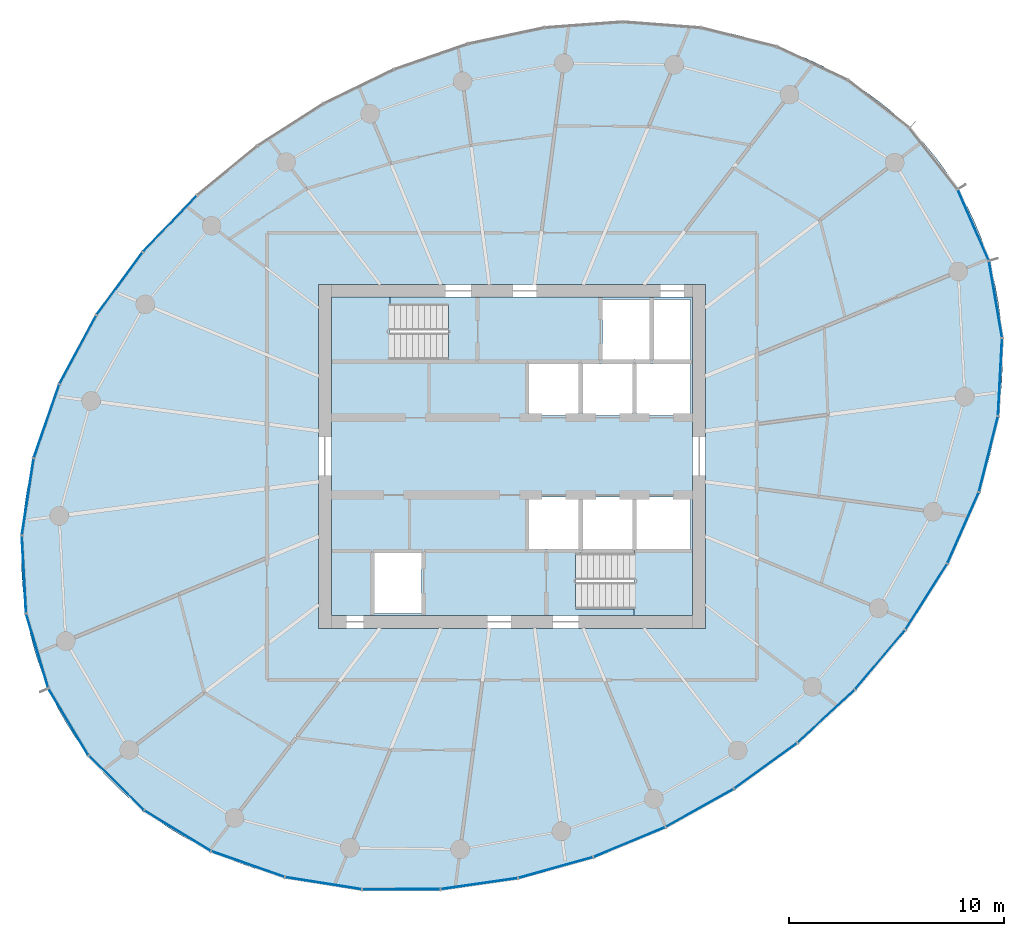
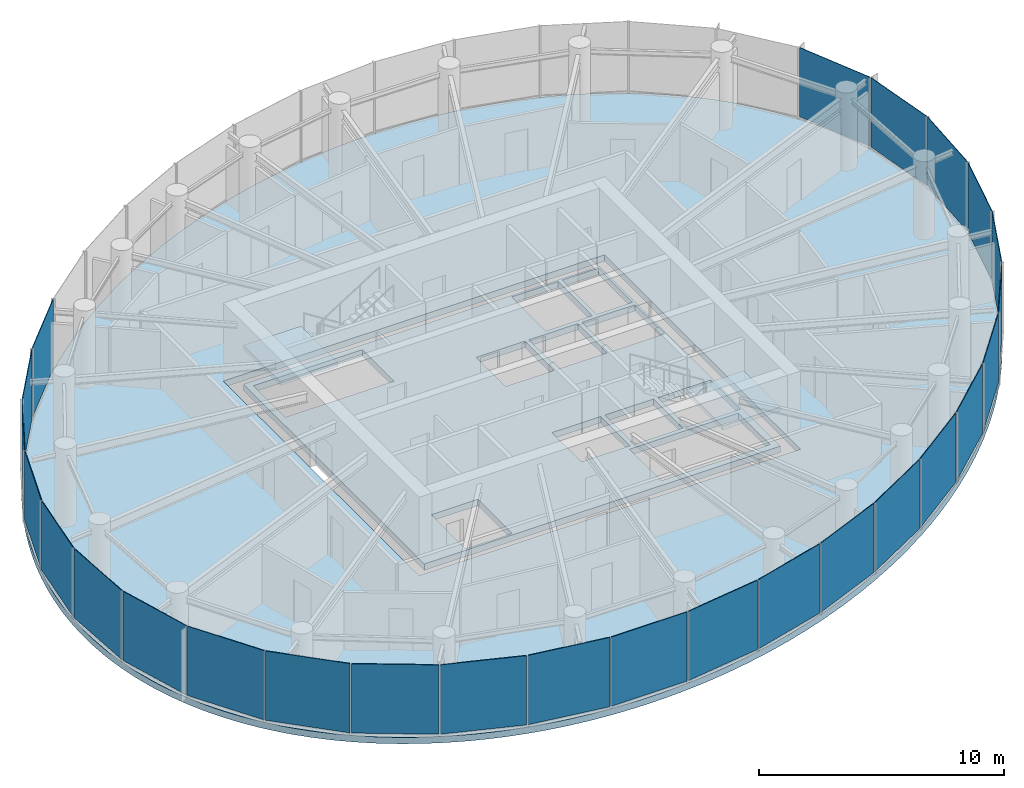
# One storey, part 8 of 14: 26 plates, 4 slabs, 7 elements without a shape of their own.
"""IFC4 building model written with IfcOpenShell, lengths in metres."""

from ifc_helpers import new_model, si_unit, direction, frame, origin, origin_2d, place, context, subcontext, project, spatial, line, indexed_curve, rectangle, outline, extrude, source, transform, mapped, material, layer, layer_set, type_object, element, aggregate, save


model = new_model("IFC4")

# Units and contexts
model_context = context("Model", 3, precision=1e-05, world=origin(), true_north=direction((0.0, 1.0)))
body_context = subcontext(model_context, "Body", "Model", "MODEL_VIEW")
ifc_project = project(units=[si_unit("LENGTHUNIT", "METRE"), si_unit("AREAUNIT", "SQUARE_METRE"), si_unit("VOLUMEUNIT", "CUBIC_METRE"), si_unit("PLANEANGLEUNIT", "RADIAN"), si_unit("MASSUNIT", "GRAM", prefix="KILO")], contexts=[model_context])

# Site, building, storey
site_placement = place(None, origin())
site = spatial("IfcSite", under=ifc_project, at=site_placement, CompositionType="ELEMENT")
building_placement = place(site_placement, origin())
building = spatial("IfcBuilding", under=site, at=building_placement, Name="Spindrift Exchange Tower", CompositionType="ELEMENT")
storey_placement = place(building_placement, frame((0.0, 0.0, 207.199951171875)))
storey = spatial("IfcBuildingStorey", under=building, at=storey_placement, Name="L50", CompositionType="ELEMENT", Elevation=207.199951171875)

# Slabs
ifc_material_1 = material(Name="Concrete 40 MPa", Category="concrete")
ifc_layer_1 = layer(ifc_material_1, 0.320068359375)
ifc_layer_set_1 = layer_set([ifc_layer_1], Name="RC Floor Slab 320 Concrete 40 MPa")
slab_type_1 = type_object("IfcSlabType", Name="RC Floor Slab 320 Concrete 40 MPa", PredefinedType="FLOOR", material=ifc_layer_set_1)
slab_1_placement = place(storey_placement, frame((0.0, 0.0, -0.320068359375)))
element("IfcSlab", 1, at=slab_1_placement, inside=storey, type_object=slab_type_1, Name="Floor slab L50", PredefinedType="FLOOR", context=body_context, shape_type="SweptSolid", body=[
    extrude(outline(indexed_curve([(72.726318359375, 60.415771484375), (72.32470703125, 61.048095703125), (71.890380859375, 61.658447265625), (71.66162109375, 61.955078125), (71.18115234375, 62.52978515625), (70.93017578125, 62.807861328125), (70.406982421875, 63.34423828125), (69.857666015625, 63.853515625), (69.573486328125, 64.097900390625), (68.98828125, 64.565185546875), (68.380859375, 65.00390625), (68.069580078125, 65.21240234375), (67.433349609375, 65.607666015625), (66.779541015625, 65.9736328125), (66.447021484375, 66.145751953125), (65.7705078125, 66.468017578125), (65.081298828125, 66.76171875), (64.732421875, 66.897705078125), (64.0263671875, 67.148193359375), (63.31103515625, 67.37109375), (62.587646484375, 67.566162109375), (62.223388671875, 67.653564453125), (61.857666015625, 67.734375), (61.121826171875, 67.8759765625), (60.752197265625, 67.93701171875), (60.01025390625, 68.0400390625), (59.637939453125, 68.08203125), (58.8916015625, 68.147705078125), (58.517822265625, 68.17138671875), (57.769287109375, 68.20068359375), (57.39453125, 68.20654296875), (56.6455078125, 68.201171875), (56.27099609375, 68.18994140625), (55.522705078125, 68.15087890625), (54.776123046875, 68.08984375), (54.403564453125, 68.051513671875), (54.031494140625, 68.0078125), (53.289306640625, 67.904541015625), (52.91943359375, 67.845458984375), (52.18212890625, 67.712158203125), (51.083740234375, 67.47509765625), (49.995361328125, 67.195556640625), (48.91845703125, 66.8740234375), (47.8544921875, 66.51220703125), (46.8046875, 66.111083984375), (45.7705078125, 65.671875), (44.752685546875, 65.1953125), (43.752685546875, 64.682373046875), (43.0966796875, 64.320556640625), (42.449462890625, 63.943359375), (41.495849609375, 63.3486328125), (40.872314453125, 62.933349609375), (40.2587890625, 62.50341796875), (39.3583984375, 61.830810546875), (38.48291015625, 61.126220703125), (37.634033203125, 60.389892578125), (36.81298828125, 59.62255859375), (36.021484375, 58.82470703125), (35.261474609375, 57.997314453125), (34.5341796875, 57.140380859375), (34.299560546875, 56.848388671875), (33.842041015625, 56.255126953125), (33.401123046875, 55.6494140625), (33.18701171875, 55.342041015625), (32.977294921875, 55.03173828125), (32.5712890625, 54.402099609375), (32.18359375, 53.760986328125), (31.9970703125, 53.43603515625), (31.8154296875, 53.1083984375), (31.46728515625, 52.445068359375), (31.30078125, 52.109375), (30.984375, 51.430419921875), (30.83447265625, 51.087158203125), (30.551513671875, 50.393310546875), (30.2919921875, 49.6904296875), (30.171630859375, 49.335693359375), (29.949462890625, 48.620361328125), (29.847900390625, 48.259765625), (29.753173828125, 47.897216796875), (29.583984375, 47.16748046875), (29.44287109375, 46.431640625), (29.330810546875, 45.69091796875), (29.285888671875, 45.319091796875), (29.219482421875, 44.57275390625), (29.1845703125, 43.824462890625), (29.17919921875, 43.449951171875), (29.193603515625, 42.700927734375), (29.24169921875, 41.953369140625), (29.27880859375, 41.58056640625), (29.37890625, 40.838134765625), (29.514892578125, 40.101318359375), (29.59619140625, 39.735595703125), (29.785888671875, 39.010986328125), (29.89453125, 38.65234375), (30.138671875, 37.944091796875), (30.418701171875, 37.24951171875), (30.734619140625, 36.570068359375), (30.90576171875, 36.23681640625), (31.273681640625, 35.584228515625), (31.67529296875, 34.951904296875), (32.109619140625, 34.341552734375), (32.33837890625, 34.044921875), (32.81884765625, 33.47021484375), (33.06982421875, 33.192138671875), (33.593017578125, 32.65576171875), (34.142333984375, 32.146484375), (34.426513671875, 31.902099609375), (35.01171875, 31.434814453125), (35.619140625, 30.99609375), (35.930419921875, 30.78759765625), (36.566650390625, 30.392333984375), (37.220458984375, 30.0263671875), (37.552978515625, 29.854248046875), (38.2294921875, 29.531982421875), (38.918701171875, 29.23828125), (39.267578125, 29.102294921875), (39.9736328125, 28.851806640625), (40.68896484375, 28.62890625), (41.412353515625, 28.433837890625), (41.776611328125, 28.346435546875), (42.142333984375, 28.265625), (42.878173828125, 28.1240234375), (43.247802734375, 28.06298828125), (43.98974609375, 27.9599609375), (44.362060546875, 27.91796875), (45.1083984375, 27.852294921875), (45.482177734375, 27.82861328125), (46.230712890625, 27.79931640625), (46.60546875, 27.79345703125), (47.3544921875, 27.798828125), (47.72900390625, 27.81005859375), (48.477294921875, 27.84912109375), (49.223876953125, 27.91015625), (49.596435546875, 27.948486328125), (49.968505859375, 27.9921875), (50.710693359375, 28.095458984375), (51.08056640625, 28.154541015625), (51.81787109375, 28.287841796875), (52.916259765625, 28.52490234375), (54.004638671875, 28.804443359375), (55.08154296875, 29.1259765625), (56.1455078125, 29.48779296875), (57.1953125, 29.888916015625), (58.2294921875, 30.328125), (59.247314453125, 30.8046875), (60.247314453125, 31.317626953125), (60.9033203125, 31.679443359375), (61.550537109375, 32.056640625), (62.504150390625, 32.6513671875), (63.127685546875, 33.066650390625), (63.7412109375, 33.49658203125), (64.6416015625, 34.169189453125), (65.51708984375, 34.873779296875), (66.365966796875, 35.610107421875), (67.18701171875, 36.37744140625), (67.978515625, 37.17529296875), (68.738525390625, 38.002685546875), (69.4658203125, 38.859619140625), (69.700439453125, 39.151611328125), (70.157958984375, 39.744873046875), (70.598876953125, 40.3505859375), (70.81298828125, 40.657958984375), (71.022705078125, 40.96826171875), (71.4287109375, 41.597900390625), (71.81640625, 42.239013671875), (72.0029296875, 42.56396484375), (72.1845703125, 42.8916015625), (72.53271484375, 43.554931640625), (72.69921875, 43.890625), (73.015625, 44.569580078125), (73.16552734375, 44.912841796875), (73.448486328125, 45.606689453125), (73.7080078125, 46.3095703125), (73.828369140625, 46.664306640625), (74.050537109375, 47.379638671875), (74.152099609375, 47.740234375), (74.246826171875, 48.102783203125), (74.416015625, 48.83251953125), (74.55712890625, 49.568359375), (74.669189453125, 50.30908203125), (74.714111328125, 50.680908203125), (74.780517578125, 51.42724609375), (74.8154296875, 52.175537109375), (74.82080078125, 52.550048828125), (74.806396484375, 53.299072265625), (74.75830078125, 54.046630859375), (74.72119140625, 54.41943359375), (74.62109375, 55.161865234375), (74.485107421875, 55.898681640625), (74.40380859375, 56.264404296875), (74.214111328125, 56.989013671875), (74.10546875, 57.34765625), (73.861328125, 58.055908203125), (73.581298828125, 58.75048828125), (73.265380859375, 59.429931640625), (73.09423828125, 59.76318359375)], segments=[line(1, 2, 3, 4, 5, 6, 7, 8, 9, 10, 11, 12, 13, 14, 15, 16, 17, 18, 19, 20, 21, 22, 23, 24, 25, 26, 27, 28, 29, 30, 31, 32, 33, 34, 35, 36, 37, 38, 39, 40, 41, 42, 43, 44, 45, 46, 47, 48, 49, 50, 51, 52, 53, 54, 55, 56, 57, 58, 59, 60, 61, 62, 63, 64, 65, 66, 67, 68, 69, 70, 71, 72, 73, 74, 75, 76, 77, 78, 79, 80, 81, 82, 83, 84, 85, 86, 87, 88, 89, 90, 91, 92, 93, 94, 95, 96, 97, 98, 99, 100, 101, 102, 103, 104, 105, 106, 107, 108, 109, 110, 111, 112, 113, 114, 115, 116, 117, 118, 119, 120, 121, 122, 123, 124, 125, 126, 127, 128, 129, 130, 131, 132, 133, 134, 135, 136, 137, 138, 139, 140, 141, 142, 143, 144, 145, 146, 147, 148, 149, 150, 151, 152, 153, 154, 155, 156, 157, 158, 159, 160, 161, 162, 163, 164, 165, 166, 167, 168, 169, 170, 171, 172, 173, 174, 175, 176, 177, 178, 179, 180, 181, 182, 183, 184, 185, 186, 187, 188, 189, 190, 191, 192, 193, 194, 195, 196, 1)], self_intersect=False), holes=[indexed_curve([(43.0, 40.0), (61.0, 40.0), (61.0, 56.0), (43.0, 56.0)], segments=[line(1, 2, 3, 4, 1)], self_intersect=False)]), origin(), (0.0, 0.0, 1.0), 0.320068359375),
])
ifc_material_2 = material(Name="Concrete 50 MPa", Category="concrete")
ifc_layer_2 = layer(ifc_material_2, 0.320068359375)
ifc_layer_set_2 = layer_set([ifc_layer_2], Name="SL-CORE-FLOOR-320")
slab_type_2 = type_object("IfcSlabType", Name="SL-CORE-FLOOR-320", PredefinedType="FLOOR", material=ifc_layer_set_2)
slab_2_placement = place(storey_placement, frame((0.0, 0.0, -0.320068359375)))
element("IfcSlab", 2, at=slab_2_placement, inside=storey, type_object=slab_type_2, Name="L50 Core floor slab", PredefinedType="FLOOR", context=body_context, shape_type="SweptSolid", body=[
    extrude(outline(indexed_curve([(43.60009765625, 40.60009765625), (43.60009765625, 55.39990234375), (60.39990234375, 55.39990234375), (60.39990234375, 40.60009765625)], segments=[line(1, 2, 3, 4, 1)], self_intersect=False), holes=[indexed_curve([(45.60009765625, 43.5), (45.60009765625, 40.699951171875), (47.800048828125, 40.699951171875), (47.800048828125, 43.5)], segments=[line(1, 2, 3, 4, 1)], self_intersect=False), indexed_curve([(52.800048828125, 46.10009765625), (52.800048828125, 43.699951171875), (55.10009765625, 43.699951171875), (55.10009765625, 46.10009765625)], segments=[line(1, 2, 3, 4, 1)], self_intersect=False), indexed_curve([(55.300048828125, 46.10009765625), (55.300048828125, 43.699951171875), (57.60009765625, 43.699951171875), (57.60009765625, 46.10009765625)], segments=[line(1, 2, 3, 4, 1)], self_intersect=False), indexed_curve([(55.10009765625, 52.300048828125), (52.800048828125, 52.300048828125), (52.800048828125, 49.89990234375), (55.10009765625, 49.89990234375)], segments=[line(1, 2, 3, 4, 1)], self_intersect=False), indexed_curve([(57.60009765625, 52.300048828125), (55.300048828125, 52.300048828125), (55.300048828125, 49.89990234375), (57.60009765625, 49.89990234375)], segments=[line(1, 2, 3, 4, 1)], self_intersect=False), indexed_curve([(43.906005859375, 52.506103515625), (49.0439453125, 52.506103515625), (49.0439453125, 55.093994140625), (43.906005859375, 55.093994140625)], segments=[line(1, 2, 3, 4, 1)], self_intersect=False), indexed_curve([(60.093994140625, 40.906005859375), (60.093994140625, 43.493896484375), (54.9560546875, 43.493896484375), (54.9560546875, 40.906005859375)], segments=[line(1, 2, 3, 4, 1)], self_intersect=False), indexed_curve([(60.300048828125, 46.10009765625), (57.800048828125, 46.10009765625), (57.800048828125, 43.699951171875), (60.300048828125, 43.699951171875)], segments=[line(1, 2, 3, 4, 1)], self_intersect=False), indexed_curve([(57.800048828125, 52.300048828125), (57.800048828125, 49.89990234375), (60.300048828125, 49.89990234375), (60.300048828125, 52.300048828125)], segments=[line(1, 2, 3, 4, 1)], self_intersect=False), indexed_curve([(58.39990234375, 55.300048828125), (56.199951171875, 55.300048828125), (56.199951171875, 52.5), (58.39990234375, 52.5)], segments=[line(1, 2, 3, 4, 1)], self_intersect=False), indexed_curve([(60.300048828125, 55.300048828125), (58.60009765625, 55.300048828125), (58.60009765625, 52.5), (60.300048828125, 52.5)], segments=[line(1, 2, 3, 4, 1)], self_intersect=False)]), origin(), (0.0, 0.0, 1.0), 0.320068359375),
])

# Stair, slab
stair_type = type_object("IfcStairType", Name="ST-1250-R177", PredefinedType="HALF_TURN_STAIR", material=ifc_material_2)
stair_1_placement = place(storey_placement, origin())
stair_1 = element("IfcStair", 3, at=stair_1_placement, inside=storey, type_object=stair_type, Name="L50 Exit stair ST1", PredefinedType="HALF_TURN_STAIR")
ifc_layer_3 = layer(ifc_material_2, 0.199951171875)
ifc_layer_set_3 = layer_set([ifc_layer_3], Name="SL-LANDING")
slab_type_3 = type_object("IfcSlabType", Name="SL-LANDING", PredefinedType="LANDING", material=ifc_layer_set_3)
slab_3_placement = place(storey_placement, frame((0.0, 0.0, 1.75)))
slab_3 = element("IfcSlab", 4, at=slab_3_placement, type_object=slab_type_3, Name="ST1 landing 1", PredefinedType="LANDING", context=body_context, shape_type="SweptSolid", body=[
    extrude(outline(indexed_curve([(46.330078125, 52.39990234375), (43.60009765625, 52.39990234375), (43.60009765625, 55.39990234375), (46.330078125, 55.39990234375)], segments=[line(1, 2, 3, 4, 1)], self_intersect=False)), origin(), (0.0, 0.0, 1.0), 0.199951171875),
])
aggregate(stair_1, [slab_3])

stair_2_placement = place(storey_placement, origin())
stair_2 = element("IfcStair", 5, at=stair_2_placement, inside=storey, type_object=stair_type, Name="L50 Exit stair ST2", PredefinedType="HALF_TURN_STAIR")
slab_4_placement = place(storey_placement, frame((0.0, 0.0, 1.75)))
slab_4 = element("IfcSlab", 6, at=slab_4_placement, type_object=slab_type_3, Name="ST2 landing 1", PredefinedType="LANDING", context=body_context, shape_type="SweptSolid", body=[
    extrude(outline(indexed_curve([(57.669921875, 43.60009765625), (60.39990234375, 43.60009765625), (60.39990234375, 40.60009765625), (57.669921875, 40.60009765625)], segments=[line(1, 2, 3, 4, 1)], self_intersect=False)), origin(), (0.0, 0.0, 1.0), 0.199951171875),
])
aggregate(stair_2, [slab_4])

# Curtain wall, plate
ifc_material_3 = material(Name="Fritted laminated glass with bronze frame", Category="glass")
ifc_layer_4 = layer(ifc_material_3, 0.169921875)
ifc_layer_set_4 = layer_set([ifc_layer_4], Name="ZONE 4 BRONZE FRITTED WALL")
curtain_wall_type = type_object("IfcCurtainWallType", Name="ZONE 4 BRONZE FRITTED WALL", PredefinedType="NOTDEFINED", material=ifc_layer_set_4)
curtain_wall_1_placement = place(storey_placement, origin())
curtain_wall_1 = element("IfcCurtainWall", 7, at=curtain_wall_1_placement, inside=storey, type_object=curtain_wall_type, Name="L50 Zone 4 Bronze Fritted Wall run 2", PredefinedType="NOTDEFINED")
ifc_material_4 = material(Name="Bronze fritted laminated glass, open frit", Category="glass")
ifc_layer_5 = layer(ifc_material_4, 0.030029296875)
ifc_layer_set_5 = layer_set([ifc_layer_5], Name="ZONE 4 BRONZE FRITTED WALL PANEL OPEN FRIT 600")
plate_type_1 = type_object("IfcPlateType", Name="ZONE 4 BRONZE FRITTED WALL PANEL OPEN FRIT 600", PredefinedType="CURTAIN_PANEL", material=ifc_layer_set_5)
shared_shape_1 = source(origin(), body_context, "Body", "SweptSolid", [
    extrude(rectangle(XDim=3.577392578125, YDim=0.030029296875, at=origin_2d()), origin(), (0.0, 0.0, 1.0), 3.455078125),
])
plate_1_placement = place(storey_placement, frame((36.090576171875, 58.814697265625, 0.125), z_axis=(0.0, 0.0, 1.0), x_axis=(-0.691369315119, -0.722501536408, 0.0)))
plate_1 = element("IfcPlate", 8, at=plate_1_placement, type_object=plate_type_1, Name="L50 panel CW-4.12", PredefinedType="CURTAIN_PANEL", context=body_context, shape_type="MappedRepresentation", body=[
    mapped(shared_shape_1, transform((0.0, 0.0, 0.0), scale=1.0)),
])
aggregate(curtain_wall_1, [plate_1])

curtain_wall_2_placement = place(storey_placement, origin())
curtain_wall_2 = element("IfcCurtainWall", 9, at=curtain_wall_2_placement, inside=storey, type_object=curtain_wall_type, Name="L50 Zone 4 Bronze Fritted Wall run 6", PredefinedType="NOTDEFINED")
plate_2_placement = place(storey_placement, frame((69.12353515625, 38.538818359375, 0.125), z_axis=(0.0, 0.0, 1.0), x_axis=(0.644197053977, 0.764859565965, 0.0)))
plate_2 = element("IfcPlate", 10, at=plate_2_placement, type_object=plate_type_1, Name="L50 panel CW-4.31", PredefinedType="CURTAIN_PANEL", context=body_context, shape_type="MappedRepresentation", body=[
    mapped(shared_shape_1, transform((0.0, 0.0, 0.0), scale=1.0)),
])

# Curtain wall, plates
curtain_wall_3_placement = place(storey_placement, origin())
curtain_wall_3 = element("IfcCurtainWall", 11, at=curtain_wall_3_placement, inside=storey, type_object=curtain_wall_type, Name="L50 Zone 4 Bronze Fritted Wall run 5", PredefinedType="NOTDEFINED")
ifc_layer_6 = layer(ifc_material_4, 0.030029296875)
ifc_layer_set_6 = layer_set([ifc_layer_6], Name="ZONE 4 BRONZE FRITTED WALL PANEL OPEN FRIT 480")
plate_type_2 = type_object("IfcPlateType", Name="ZONE 4 BRONZE FRITTED WALL PANEL OPEN FRIT 480", PredefinedType="CURTAIN_PANEL", material=ifc_layer_set_6)
shared_shape_2 = source(origin(), body_context, "Body", "SweptSolid", [
    extrude(rectangle(XDim=3.577880859375, YDim=0.030029296875, at=origin_2d()), origin(), (0.0, 0.0, 1.0), 3.455078125),
])
plate_3_placement = place(storey_placement, frame((60.736083984375, 31.64599609375, 0.125), z_axis=(0.0, 0.0, 1.0), x_axis=(0.872428627189, 0.488741537483, 0.0)))
plate_3 = element("IfcPlate", 12, at=plate_3_placement, type_object=plate_type_2, Name="L50 panel CW-4.28", PredefinedType="CURTAIN_PANEL", context=body_context, shape_type="MappedRepresentation", body=[
    mapped(shared_shape_2, transform((0.0, 0.0, 0.0), scale=1.0)),
])
ifc_layer_7 = layer(ifc_material_4, 0.030029296875)
ifc_layer_set_7 = layer_set([ifc_layer_7], Name="ZONE 4 BRONZE FRITTED WALL PANEL OPEN FRIT 360")
plate_type_3 = type_object("IfcPlateType", Name="ZONE 4 BRONZE FRITTED WALL PANEL OPEN FRIT 360", PredefinedType="CURTAIN_PANEL", material=ifc_layer_set_7)
shared_shape_3 = source(origin(), body_context, "Body", "SweptSolid", [
    extrude(rectangle(XDim=3.5771484375, YDim=0.030029296875, at=origin_2d()), origin(), (0.0, 0.0, 1.0), 3.455078125),
])
plate_4_placement = place(storey_placement, frame((50.4716796875, 28.121826171875, 0.125), z_axis=(0.0, 0.0, 1.0), x_axis=(0.989834895474, 0.142221235061, 0.0)))
plate_4 = element("IfcPlate", 13, at=plate_4_placement, type_object=plate_type_3, Name="L50 panel CW-4.25", PredefinedType="CURTAIN_PANEL", context=body_context, shape_type="MappedRepresentation", body=[
    mapped(shared_shape_3, transform((0.0, 0.0, 0.0), scale=1.0)),
])

# Curtain wall, plate
curtain_wall_4_placement = place(storey_placement, origin())
curtain_wall_4 = element("IfcCurtainWall", 14, at=curtain_wall_4_placement, inside=storey, type_object=curtain_wall_type, Name="L50 Zone 4 Bronze Fritted Wall run 3", PredefinedType="NOTDEFINED")
shared_shape_4 = source(origin(), body_context, "Body", "SweptSolid", [
    extrude(rectangle(XDim=3.57568359375, YDim=0.030029296875, at=origin_2d()), origin(), (0.0, 0.0, 1.0), 3.455078125),
])
plate_5_placement = place(storey_placement, frame((30.354736328125, 49.63671875, 0.125), z_axis=(0.0, 0.0, 1.0), x_axis=(-0.327806616594, -0.94474484498, 0.0)))
plate_5 = element("IfcPlate", 15, at=plate_5_placement, type_object=plate_type_2, Name="L50 panel CW-4.15", PredefinedType="CURTAIN_PANEL", context=body_context, shape_type="MappedRepresentation", body=[
    mapped(shared_shape_4, transform((0.0, 0.0, 0.0), scale=1.0)),
])

# Curtain wall, plates
curtain_wall_5_placement = place(storey_placement, origin())
curtain_wall_5 = element("IfcCurtainWall", 16, at=curtain_wall_5_placement, inside=storey, type_object=curtain_wall_type, Name="L50 Zone 4 Bronze Fritted Wall run 4", PredefinedType="NOTDEFINED")
shared_shape_5 = source(origin(), body_context, "Body", "SweptSolid", [
    extrude(rectangle(XDim=3.572509765625, YDim=0.030029296875, at=origin_2d()), origin(), (0.0, 0.0, 1.0), 3.455078125),
])
plate_6_placement = place(storey_placement, frame((36.4453125, 30.582275390625, 0.125), z_axis=(0.0, 0.0, 1.0), x_axis=(0.854465177192, -0.519508672657, 0.0)))
plate_6 = element("IfcPlate", 17, at=plate_6_placement, type_object=plate_type_1, Name="L50 panel CW-4.21", PredefinedType="CURTAIN_PANEL", context=body_context, shape_type="MappedRepresentation", body=[
    mapped(shared_shape_5, transform((0.0, 0.0, 0.0), scale=1.0)),
])
shared_shape_6 = source(origin(), body_context, "Body", "SweptSolid", [
    extrude(rectangle(XDim=3.57080078125, YDim=0.030029296875, at=origin_2d()), origin(), (0.0, 0.0, 1.0), 3.455078125),
])
plate_7_placement = place(storey_placement, frame((33.59912109375, 32.805908203125, 0.125), z_axis=(0.0, 0.0, 1.0), x_axis=(0.710797018558, -0.703397183964, 0.0)))
plate_7 = element("IfcPlate", 18, at=plate_7_placement, type_object=plate_type_1, Name="L50 panel CW-4.20", PredefinedType="CURTAIN_PANEL", context=body_context, shape_type="MappedRepresentation", body=[
    mapped(shared_shape_6, transform((0.0, 0.0, 0.0), scale=1.0)),
])
shared_shape_7 = source(origin(), body_context, "Body", "SweptSolid", [
    extrude(rectangle(XDim=3.570068359375, YDim=0.030029296875, at=origin_2d()), origin(), (0.0, 0.0, 1.0), 3.455078125),
])
plate_8_placement = place(storey_placement, frame((31.373046875, 35.643798828125, 0.125), z_axis=(0.0, 0.0, 1.0), x_axis=(0.513881168257, -0.85786137861, 0.0)))
plate_8 = element("IfcPlate", 19, at=plate_8_placement, type_object=plate_type_1, Name="L50 panel CW-4.19", PredefinedType="CURTAIN_PANEL", context=body_context, shape_type="MappedRepresentation", body=[
    mapped(shared_shape_7, transform((0.0, 0.0, 0.0), scale=1.0)),
])
shared_shape_8 = source(origin(), body_context, "Body", "SweptSolid", [
    extrude(rectangle(XDim=3.575439453125, YDim=0.030029296875, at=origin_2d()), origin(), (0.0, 0.0, 1.0), 3.455078125),
])
plate_9_placement = place(storey_placement, frame((43.229736328125, 28.1435546875, 0.125), z_axis=(0.0, 0.0, 1.0), x_axis=(0.987640514337, -0.156736129975, 0.0)))
plate_9 = element("IfcPlate", 20, at=plate_9_placement, type_object=plate_type_3, Name="L50 panel CW-4.23", PredefinedType="CURTAIN_PANEL", context=body_context, shape_type="MappedRepresentation", body=[
    mapped(shared_shape_8, transform((0.0, 0.0, 0.0), scale=1.0)),
])

# Plate
shared_shape_9 = source(origin(), body_context, "Body", "SweptSolid", [
    extrude(rectangle(XDim=3.5771484375, YDim=0.030029296875, at=origin_2d()), origin(), (0.0, 0.0, 1.0), 3.455078125),
])
plate_10_placement = place(storey_placement, frame((33.752685546875, 56.031982421875, 0.125), z_axis=(0.0, 0.0, 1.0), x_axis=(-0.592443517071, -0.805611990402, 0.0)))
plate_10 = element("IfcPlate", 21, at=plate_10_placement, type_object=plate_type_2, Name="L50 panel CW-4.13", PredefinedType="CURTAIN_PANEL", context=body_context, shape_type="MappedRepresentation", body=[
    mapped(shared_shape_9, transform((0.0, 0.0, 0.0), scale=1.0)),
])

shared_shape_10 = source(origin(), body_context, "Body", "SweptSolid", [
    extrude(rectangle(XDim=3.577880859375, YDim=0.030029296875, at=origin_2d()), origin(), (0.0, 0.0, 1.0), 3.455078125),
])
plate_11_placement = place(storey_placement, frame((63.80029296875, 33.60498046875, 0.125), z_axis=(0.0, 0.0, 1.0), x_axis=(0.809754988139, 0.586768147725, 0.0)))
plate_11 = element("IfcPlate", 22, at=plate_11_placement, type_object=plate_type_1, Name="L50 panel CW-4.29", PredefinedType="CURTAIN_PANEL", context=body_context, shape_type="MappedRepresentation", body=[
    mapped(shared_shape_10, transform((0.0, 0.0, 0.0), scale=1.0)),
])

shared_shape_11 = source(origin(), body_context, "Body", "SweptSolid", [
    extrude(rectangle(XDim=3.5732421875, YDim=0.030029296875, at=origin_2d()), origin(), (0.0, 0.0, 1.0), 3.455078125),
])
plate_12_placement = place(storey_placement, frame((74.701416015625, 51.684814453125, 0.125), z_axis=(0.0, 0.0, 1.0), x_axis=(0.052414388262, 0.998625421218, 0.0)))
plate_12 = element("IfcPlate", 23, at=plate_12_placement, type_object=plate_type_2, Name="L50 panel CW-4.35", PredefinedType="CURTAIN_PANEL", context=body_context, shape_type="MappedRepresentation", body=[
    mapped(shared_shape_11, transform((0.0, 0.0, 0.0), scale=1.0)),
])

shared_shape_12 = source(origin(), body_context, "Body", "SweptSolid", [
    extrude(rectangle(XDim=3.576171875, YDim=0.030029296875, at=origin_2d()), origin(), (0.0, 0.0, 1.0), 3.455078125),
])
plate_13_placement = place(storey_placement, frame((72.982666015625, 44.6728515625, 0.125), z_axis=(0.0, 0.0, 1.0), x_axis=(0.403912552179, 0.91479760067, 0.0)))
plate_13 = element("IfcPlate", 24, at=plate_13_placement, type_object=plate_type_1, Name="L50 panel CW-4.33", PredefinedType="CURTAIN_PANEL", context=body_context, shape_type="MappedRepresentation", body=[
    mapped(shared_shape_12, transform((0.0, 0.0, 0.0), scale=1.0)),
])

shared_shape_13 = source(origin(), body_context, "Body", "SweptSolid", [
    extrude(rectangle(XDim=3.57763671875, YDim=0.030029296875, at=origin_2d()), origin(), (0.0, 0.0, 1.0), 3.455078125),
])
plate_14_placement = place(storey_placement, frame((57.465087890625, 30.0576171875, 0.125), z_axis=(0.0, 0.0, 1.0), x_axis=(0.923605453472, 0.383344448659, 0.0)))
plate_14 = element("IfcPlate", 25, at=plate_14_placement, type_object=plate_type_1, Name="L50 panel CW-4.27", PredefinedType="CURTAIN_PANEL", context=body_context, shape_type="MappedRepresentation", body=[
    mapped(shared_shape_13, transform((0.0, 0.0, 0.0), scale=1.0)),
])

plate_15_placement = place(storey_placement, frame((66.61279296875, 35.909912109375, 0.125), z_axis=(0.0, 0.0, 1.0), x_axis=(0.734435048767, 0.67867898092, 0.0)))
plate_15 = element("IfcPlate", 26, at=plate_15_placement, type_object=plate_type_1, Name="L50 panel CW-4.30", PredefinedType="CURTAIN_PANEL", context=body_context, shape_type="MappedRepresentation", body=[
    mapped(shared_shape_13, transform((0.0, 0.0, 0.0), scale=1.0)),
])

shared_shape_14 = source(origin(), body_context, "Body", "SweptSolid", [
    extrude(rectangle(XDim=3.577392578125, YDim=0.030029296875, at=origin_2d()), origin(), (0.0, 0.0, 1.0), 3.455078125),
])
plate_16_placement = place(storey_placement, frame((54.028564453125, 28.8701171875, 0.125), z_axis=(0.0, 0.0, 1.0), x_axis=(0.963234812465, 0.268660931391, 0.0)))
plate_16 = element("IfcPlate", 27, at=plate_16_placement, type_object=plate_type_3, Name="L50 panel CW-4.26", PredefinedType="CURTAIN_PANEL", context=body_context, shape_type="MappedRepresentation", body=[
    mapped(shared_shape_14, transform((0.0, 0.0, 0.0), scale=1.0)),
])

aggregate(curtain_wall_3, [plate_4, plate_16, plate_14, plate_3, plate_11, plate_15])

shared_shape_15 = source(origin(), body_context, "Body", "SweptSolid", [
    extrude(rectangle(XDim=3.576416015625, YDim=0.030029296875, at=origin_2d()), origin(), (0.0, 0.0, 1.0), 3.455078125),
])
plate_17_placement = place(storey_placement, frame((31.8125, 52.96044921875, 0.125), z_axis=(0.0, 0.0, 1.0), x_axis=(-0.472938336654, -0.881095528149, 0.0)))
plate_17 = element("IfcPlate", 28, at=plate_17_placement, type_object=plate_type_1, Name="L50 panel CW-4.14", PredefinedType="CURTAIN_PANEL", context=body_context, shape_type="MappedRepresentation", body=[
    mapped(shared_shape_15, transform((0.0, 0.0, 0.0), scale=1.0)),
])

shared_shape_16 = source(origin(), body_context, "Body", "SweptSolid", [
    extrude(rectangle(XDim=3.57421875, YDim=0.030029296875, at=origin_2d()), origin(), (0.0, 0.0, 1.0), 3.455078125),
])
plate_18_placement = place(storey_placement, frame((39.7158203125, 29.033203125, 0.125), z_axis=(0.0, 0.0, 1.0), x_axis=(0.943240628214, -0.332110098141, 0.0)))
plate_18 = element("IfcPlate", 29, at=plate_18_placement, type_object=plate_type_3, Name="L50 panel CW-4.22", PredefinedType="CURTAIN_PANEL", context=body_context, shape_type="MappedRepresentation", body=[
    mapped(shared_shape_16, transform((0.0, 0.0, 0.0), scale=1.0)),
])

shared_shape_17 = source(origin(), body_context, "Body", "SweptSolid", [
    extrude(rectangle(XDim=3.572509765625, YDim=0.030029296875, at=origin_2d()), origin(), (0.0, 0.0, 1.0), 3.455078125),
])
plate_19_placement = place(storey_placement, frame((29.3037109375, 42.504150390625, 0.125), z_axis=(0.0, 0.0, 1.0), x_axis=(0.054873501292, -0.998493314377, 0.0)))
plate_19 = element("IfcPlate", 30, at=plate_19_placement, type_object=plate_type_3, Name="L50 panel CW-4.17", PredefinedType="CURTAIN_PANEL", context=body_context, shape_type="MappedRepresentation", body=[
    mapped(shared_shape_17, transform((0.0, 0.0, 0.0), scale=1.0)),
])

shared_shape_18 = source(origin(), body_context, "Body", "SweptSolid", [
    extrude(rectangle(XDim=3.57080078125, YDim=0.030029296875, at=origin_2d()), origin(), (0.0, 0.0, 1.0), 3.455078125),
])
plate_20_placement = place(storey_placement, frame((29.92138671875, 38.945556640625, 0.125), z_axis=(0.0, 0.0, 1.0), x_axis=(0.284783369849, -0.958591900788, 0.0)))
plate_20 = element("IfcPlate", 31, at=plate_20_placement, type_object=plate_type_3, Name="L50 panel CW-4.18", PredefinedType="CURTAIN_PANEL", context=body_context, shape_type="MappedRepresentation", body=[
    mapped(shared_shape_18, transform((0.0, 0.0, 0.0), scale=1.0)),
])

shared_shape_19 = source(origin(), body_context, "Body", "SweptSolid", [
    extrude(rectangle(XDim=3.57421875, YDim=0.030029296875, at=origin_2d()), origin(), (0.0, 0.0, 1.0), 3.455078125),
])
plate_21_placement = place(storey_placement, frame((29.48095703125, 46.118408203125, 0.125), z_axis=(0.0, 0.0, 1.0), x_axis=(-0.152261386007, -0.988340260402, 0.0)))
plate_21 = element("IfcPlate", 32, at=plate_21_placement, type_object=plate_type_2, Name="L50 panel CW-4.16", PredefinedType="CURTAIN_PANEL", context=body_context, shape_type="MappedRepresentation", body=[
    mapped(shared_shape_19, transform((0.0, 0.0, 0.0), scale=1.0)),
])

aggregate(curtain_wall_4, [plate_10, plate_17, plate_5, plate_21, plate_19, plate_20])

shared_shape_20 = source(origin(), body_context, "Body", "SweptSolid", [
    extrude(rectangle(XDim=3.571533203125, YDim=0.030029296875, at=origin_2d()), origin(), (0.0, 0.0, 1.0), 3.455078125),
])
plate_22_placement = place(storey_placement, frame((74.4912109375, 55.293701171875, 0.125), z_axis=(0.0, 0.0, 1.0), x_axis=(-0.16812636858, 0.9857654509, 0.0)))
plate_22 = element("IfcPlate", 33, at=plate_22_placement, type_object=plate_type_3, Name="L50 panel CW-4.36", PredefinedType="CURTAIN_PANEL", context=body_context, shape_type="MappedRepresentation", body=[
    mapped(shared_shape_20, transform((0.0, 0.0, 0.0), scale=1.0)),
])

shared_shape_21 = source(origin(), body_context, "Body", "SweptSolid", [
    extrude(rectangle(XDim=3.5703125, YDim=0.030029296875, at=origin_2d()), origin(), (0.0, 0.0, 1.0), 3.455078125),
])
plate_23_placement = place(storey_placement, frame((73.455810546875, 58.7509765625, 0.125), z_axis=(0.0, 0.0, 1.0), x_axis=(-0.401405939344, 0.915900252134, 0.0)))
plate_23 = element("IfcPlate", 34, at=plate_23_placement, type_object=plate_type_3, Name="L50 panel CW-4.37", PredefinedType="CURTAIN_PANEL", context=body_context, shape_type="MappedRepresentation", body=[
    mapped(shared_shape_21, transform((0.0, 0.0, 0.0), scale=1.0)),
])

shared_shape_22 = source(origin(), body_context, "Body", "SweptSolid", [
    extrude(rectangle(XDim=3.576904296875, YDim=0.030029296875, at=origin_2d()), origin(), (0.0, 0.0, 1.0), 3.455078125),
])
plate_24_placement = place(storey_placement, frame((71.27197265625, 41.469482421875, 0.125), z_axis=(0.0, 0.0, 1.0), x_axis=(0.535558567249, 0.844498088243, 0.0)))
plate_24 = element("IfcPlate", 35, at=plate_24_placement, type_object=plate_type_3, Name="L50 panel CW-4.32", PredefinedType="CURTAIN_PANEL", context=body_context, shape_type="MappedRepresentation", body=[
    mapped(shared_shape_22, transform((0.0, 0.0, 0.0), scale=1.0)),
])

shared_shape_23 = source(origin(), body_context, "Body", "SweptSolid", [
    extrude(rectangle(XDim=3.576416015625, YDim=0.030029296875, at=origin_2d()), origin(), (0.0, 0.0, 1.0), 3.455078125),
])
plate_25_placement = place(storey_placement, frame((46.848388671875, 27.860595703125, 0.125), z_axis=(0.0, 0.0, 1.0), x_axis=(0.999999236531, 0.001235692796, 0.0)))
plate_25 = element("IfcPlate", 36, at=plate_25_placement, type_object=plate_type_2, Name="L50 panel CW-4.24", PredefinedType="CURTAIN_PANEL", context=body_context, shape_type="MappedRepresentation", body=[
    mapped(shared_shape_23, transform((0.0, 0.0, 0.0), scale=1.0)),
])

aggregate(curtain_wall_5, [plate_8, plate_7, plate_6, plate_18, plate_9, plate_25])

shared_shape_24 = source(origin(), body_context, "Body", "SweptSolid", [
    extrude(rectangle(XDim=3.574951171875, YDim=0.030029296875, at=origin_2d()), origin(), (0.0, 0.0, 1.0), 3.455078125),
])
plate_26_placement = place(storey_placement, frame((74.162109375, 48.10302734375, 0.125), z_axis=(0.0, 0.0, 1.0), x_axis=(0.244041560201, 0.969764774002, 0.0)))
plate_26 = element("IfcPlate", 37, at=plate_26_placement, type_object=plate_type_1, Name="L50 panel CW-4.34", PredefinedType="CURTAIN_PANEL", context=body_context, shape_type="MappedRepresentation", body=[
    mapped(shared_shape_24, transform((0.0, 0.0, 0.0), scale=1.0)),
])

aggregate(curtain_wall_2, [plate_2, plate_24, plate_13, plate_26, plate_12, plate_22, plate_23])

save(model, "model.ifc")
